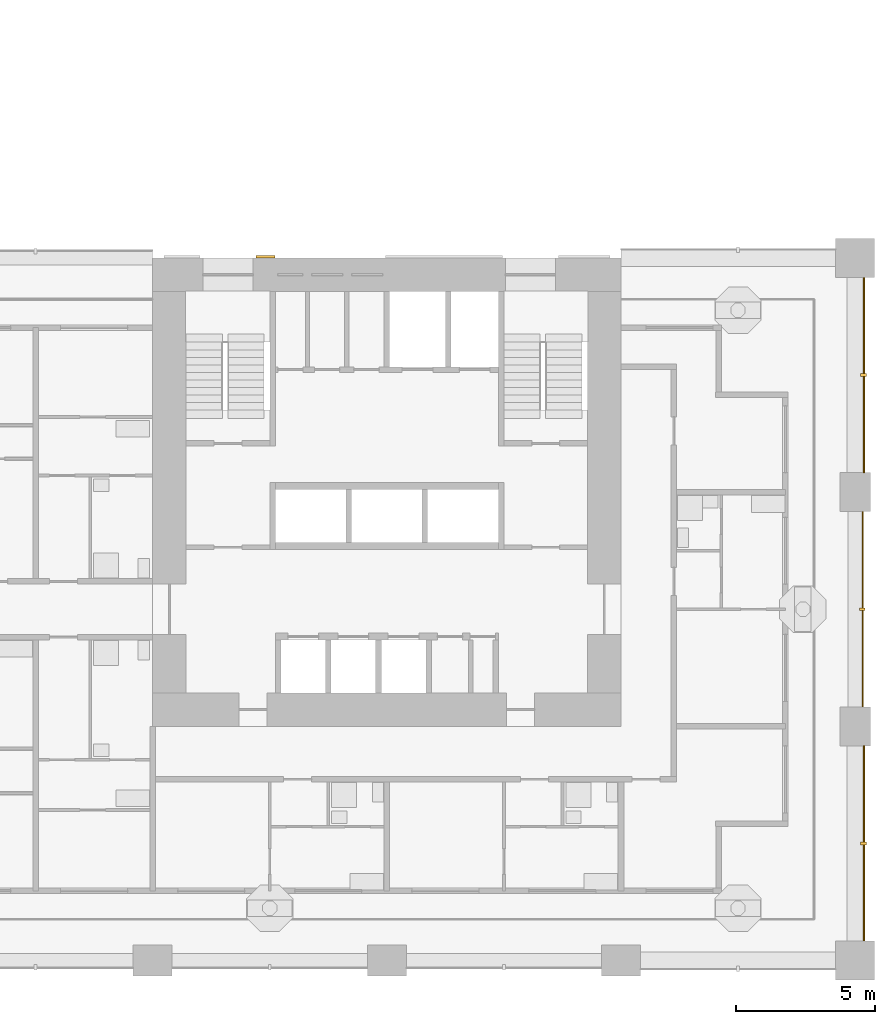
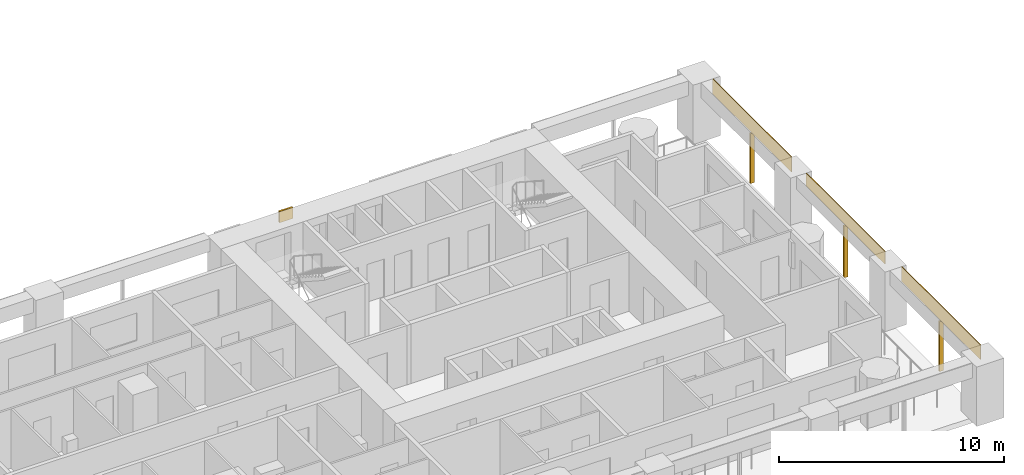
# One storey, part 18 of 22: 7 shading devices.
"""IFC4 building model written with IfcOpenShell, lengths in metres."""

from ifc_helpers import new_model, si_unit, direction, frame, origin, origin_2d, place, context, subcontext, project, spatial, rectangle, extrude, material, layer, layer_set, material_profile, profile_set, type_object, element, save


model = new_model("IFC4")

# Units and contexts
model_context = context("Model", 3, precision=1e-05, world=origin(), true_north=direction((0.0, 1.0)))
body_context = subcontext(model_context, "Body", "Model", "MODEL_VIEW")
ifc_project = project(units=[si_unit("LENGTHUNIT", "METRE"), si_unit("AREAUNIT", "SQUARE_METRE"), si_unit("VOLUMEUNIT", "CUBIC_METRE"), si_unit("PLANEANGLEUNIT", "RADIAN"), si_unit("MASSUNIT", "GRAM", prefix="KILO")], contexts=[model_context])

# Site, building, storey
site_placement = place(None, origin())
site = spatial("IfcSite", under=ifc_project, at=site_placement, CompositionType="ELEMENT")
building_placement = place(site_placement, origin())
building = spatial("IfcBuilding", under=site, at=building_placement, Name="Vermilion Gate Residences", CompositionType="ELEMENT")
storey_placement = place(building_placement, frame((0.0, 0.0, 60.199951171875)))
storey = spatial("IfcBuildingStorey", under=building, at=storey_placement, Name="L14", CompositionType="ELEMENT", Elevation=60.199951171875)

# Shading devices
ifc_material_1 = material(Name="Perforated terracotta", Category="masonry")
ifc_layer_1 = layer(ifc_material_1, 0.0400390625)
ifc_layer_set_1 = layer_set([ifc_layer_1], Name="PERFORATED TERRACOTTA SCREEN 40")
shading_device_type_1 = type_object("IfcShadingDeviceType", Name="PERFORATED TERRACOTTA SCREEN 40", PredefinedType="SHUTTER", material=ifc_layer_set_1)
shading_device_1_placement = place(storey_placement, frame((67.52001953125, 4.199951171875, 2.419921875), z_axis=(0.0, 0.0, 1.0), x_axis=(0.0, 1.0, 0.0)))
element("IfcShadingDevice", 1, at=shading_device_1_placement, inside=storey, type_object=shading_device_type_1, Name="SCREEN", PredefinedType="SHUTTER", context=body_context, shape_type="SweptSolid", body=[
    extrude(rectangle(XDim=7.0, YDim=0.0400390625, at=origin_2d()), origin(), (0.0, 0.0, 1.0), 0.800048828125),
])
shading_device_2_placement = place(storey_placement, frame((67.469970703125, 12.60009765625, 2.52001953125), z_axis=(0.0, 0.0, 1.0), x_axis=(0.0, 1.0, 0.0)))
element("IfcShadingDevice", 2, at=shading_device_2_placement, inside=storey, type_object=shading_device_type_1, Name="SCREEN", PredefinedType="SHUTTER", context=body_context, shape_type="SweptSolid", body=[
    extrude(rectangle(XDim=7.0, YDim=0.0400390625, at=origin_2d()), origin(), (0.0, 0.0, 1.0), 0.699951171875),
])
shading_device_3_placement = place(storey_placement, frame((67.52001953125, 21.0, 2.419921875), z_axis=(0.0, 0.0, 1.0), x_axis=(0.0, 1.0, 0.0)))
element("IfcShadingDevice", 3, at=shading_device_3_placement, inside=storey, type_object=shading_device_type_1, Name="SCREEN", PredefinedType="SHUTTER", context=body_context, shape_type="SweptSolid", body=[
    extrude(rectangle(XDim=7.0, YDim=0.0400390625, at=origin_2d()), origin(), (0.0, 0.0, 1.0), 0.800048828125),
])
ifc_material_2 = material(Name="Extruded terracotta", Category="masonry")
ifc_material_profile = material_profile(ifc_material_2, rectangle(XDim=0.199951171875, YDim=0.10009765625, at=origin_2d()), Name="BAGUETTE 100 X 200")
ifc_profile_set = profile_set([ifc_material_profile], Name="Extruded terracotta")
shading_device_type_2 = type_object("IfcShadingDeviceType", Name="TERRACOTTA BAGUETTE 100 X 200", PredefinedType="JALOUSIE", material=ifc_profile_set)
shading_device_4_placement = place(storey_placement, frame((67.5, 4.199951171875, -0.280029296875), z_axis=(0.0, 0.0, 1.0), x_axis=(-1.0, 0.0, 0.0)))
element("IfcShadingDevice", 4, at=shading_device_4_placement, inside=storey, type_object=shading_device_type_2, Name="BAGUETTE", PredefinedType="JALOUSIE", context=body_context, shape_type="SweptSolid", body=[
    extrude(rectangle(XDim=0.199951171875, YDim=0.10009765625, at=origin_2d()), origin(), (0.0, 0.0, 1.0), 2.7001953125),
])
shading_device_5_placement = place(storey_placement, frame((67.449951171875, 12.60009765625, -0.280029296875), z_axis=(0.0, 0.0, 1.0), x_axis=(-1.0, 0.0, 0.0)))
element("IfcShadingDevice", 5, at=shading_device_5_placement, inside=storey, type_object=shading_device_type_2, Name="BAGUETTE", PredefinedType="JALOUSIE", context=body_context, shape_type="SweptSolid", body=[
    extrude(rectangle(XDim=0.199951171875, YDim=0.10009765625, at=origin_2d()), origin(), (0.0, 0.0, 1.0), 2.800048828125),
])
shading_device_6_placement = place(storey_placement, frame((67.5, 21.0, -0.280029296875), z_axis=(0.0, 0.0, 1.0), x_axis=(-1.0, 0.0, 0.0)))
element("IfcShadingDevice", 6, at=shading_device_6_placement, inside=storey, type_object=shading_device_type_2, Name="BAGUETTE", PredefinedType="JALOUSIE", context=body_context, shape_type="SweptSolid", body=[
    extrude(rectangle(XDim=0.199951171875, YDim=0.10009765625, at=origin_2d()), origin(), (0.0, 0.0, 1.0), 2.7001953125),
])
ifc_material_3 = material(Name="Extruded terracotta", Category="masonry")
ifc_layer_2 = layer(ifc_material_3, 0.10009765625)
ifc_layer_set_2 = layer_set([ifc_layer_2], Name="TERRACOTTA SPANDREL BAND 600 X 100")
shading_device_type_3 = type_object("IfcShadingDeviceType", Name="TERRACOTTA SPANDREL BAND 600 X 100", PredefinedType="USERDEFINED", material=ifc_layer_set_2)
shading_device_7_placement = place(storey_placement, frame((46.044921875, 25.25, 2.6201171875), z_axis=(0.0, 0.0, 1.0), x_axis=(1.0, 0.0, 0.0)))
element("IfcShadingDevice", 7, at=shading_device_7_placement, inside=storey, type_object=shading_device_type_3, Name="SPANDREL BAND", ObjectType="BAND", PredefinedType="USERDEFINED", context=body_context, shape_type="SweptSolid", body=[
    extrude(rectangle(XDim=0.68994140625, YDim=0.10009765625, at=origin_2d()), origin(), (0.0, 0.0, 1.0), 0.60009765625),
])

save(model, "model.ifc")
